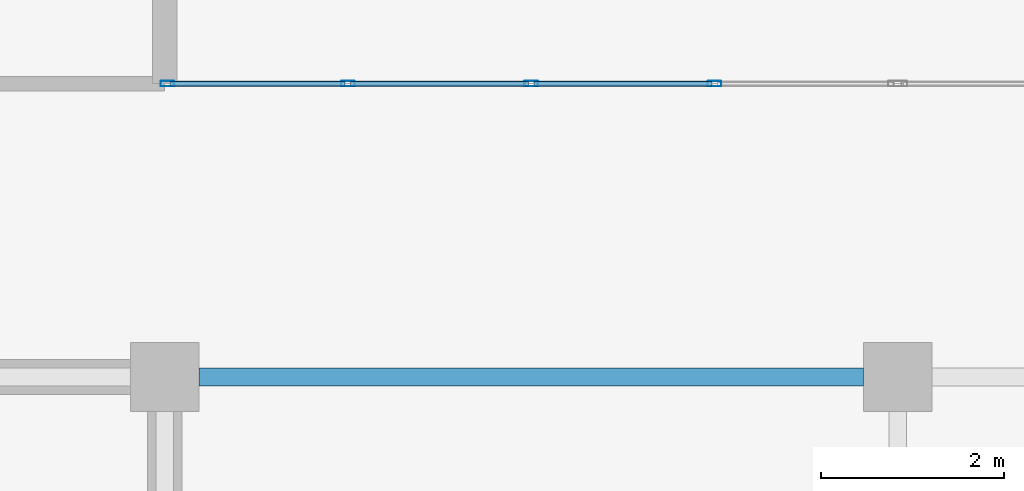
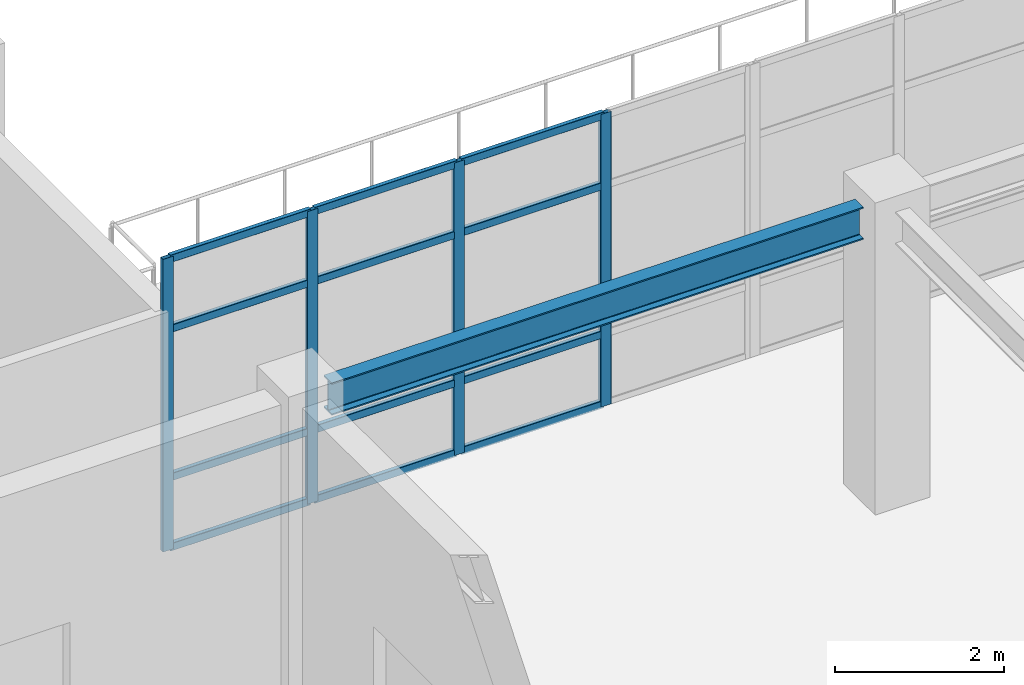
# One storey, part 9 of 42: 16 members, 1 beam, 1 element without a shape of its own.
"""IFC4 building model written with IfcOpenShell, lengths in metres."""

import ifcopenshell
import ifcopenshell.guid

model = None  # the IFC model being written
_history = None  # IfcOwnerHistory: only IFC2X3 demands one
_inside = {}  # id of a spatial element -> (the spatial element, [elements in it])
_under = {}  # id of a project, library or spatial element -> (it, [spatial elements below it])
_declared = {}  # id of a project -> (the project, [libraries it declares])
_typed = {}  # id of a type object -> (the type object, [elements of that type])
_made_of = {}  # id of a material, layer set ... -> (it, [elements and type objects made of it])


def new_model(schema):
    """Start an empty IFC model of exactly this schema.

    Asked for "IFC4X3", IfcOpenShell would pick the latest addendum, in which some entities
    have other attributes; the version numbers below select the first issue.
    IFC2X3 requires an IfcOwnerHistory on every rooted entity: one is made here for all.
    """
    global model, _history
    if schema == "IFC4X3":
        model = ifcopenshell.file(schema_version=(4, 3, 0, 0))
    else:
        model = ifcopenshell.file(schema=schema)
    _inside.clear()
    _under.clear()
    _declared.clear()
    _typed.clear()
    _made_of.clear()
    _history = None
    if model.schema == "IFC2X3":
        org = make("IfcOrganization", Name="unknown")
        user = make(
            "IfcPersonAndOrganization",
            ThePerson=make("IfcPerson", FamilyName="unknown"),
            TheOrganization=org,
        )
        app = make(
            "IfcApplication",
            ApplicationDeveloper=org,
            Version="unknown",
            ApplicationFullName="unknown",
            ApplicationIdentifier="unknown",
        )
        _history = make(
            "IfcOwnerHistory",
            OwningUser=user,
            OwningApplication=app,
            ChangeAction="ADDED",
            CreationDate=0,
        )
    return model


def make(cls, **values):
    """One entity of the class cls with the attributes given. An attribute that is None is left unset."""
    return model.create_entity(
        cls, **{name: value for name, value in values.items() if value is not None}
    )


def rooted(cls, **values):
    """An entity with a GlobalId (a new one), such as an element, a storey or a relation."""
    return make(cls, GlobalId=ifcopenshell.guid.new(), OwnerHistory=_history, **values)


def si_unit(unit_type, name, prefix=None):
    """IfcSIUnit, for example si_unit("LENGTHUNIT", "METRE", prefix="MILLI")."""
    return make("IfcSIUnit", UnitType=unit_type, Prefix=prefix, Name=name)


def assignment(units):
    """IfcUnitAssignment: the units of a project."""
    return None if units is None else make("IfcUnitAssignment", Units=units)


def point(xyz):
    """IfcCartesianPoint."""
    return None if xyz is None else make("IfcCartesianPoint", Coordinates=xyz)


def direction(xyz):
    """IfcDirection."""
    return None if xyz is None else make("IfcDirection", DirectionRatios=xyz)


def frame(location, z_axis=None, x_axis=None):
    """IfcAxis2Placement3D, a coordinate frame: its origin and axes. An axis left out is left unset."""
    return make(
        "IfcAxis2Placement3D",
        Location=point(location),
        Axis=direction(z_axis),
        RefDirection=direction(x_axis),
    )


def frame_2d(location, x_axis=None):
    """IfcAxis2Placement2D, a coordinate frame in the plane: its origin and x axis."""
    return make(
        "IfcAxis2Placement2D", Location=point(location), RefDirection=direction(x_axis)
    )


def origin():
    """The frame at (0, 0, 0) with its axes left unset."""
    return frame((0.0, 0.0, 0.0))


def origin_2d():
    """The frame at (0, 0) in the plane with its x axis left unset."""
    return frame_2d((0.0, 0.0))


def place(relative_to, where):
    """IfcLocalPlacement: puts the frame where relative to a parent placement (None: the world)."""
    return make(
        "IfcLocalPlacement", PlacementRelTo=relative_to, RelativePlacement=where
    )


def context(
    kind, dimensions, precision=None, world=None, true_north=None, identifier=None
):
    """IfcGeometricRepresentationContext, for example the 3D "Model" context."""
    return make(
        "IfcGeometricRepresentationContext",
        ContextIdentifier=identifier,
        ContextType=kind,
        CoordinateSpaceDimension=dimensions,
        Precision=precision,
        WorldCoordinateSystem=world,
        TrueNorth=true_north,
    )


def subcontext(parent, identifier, kind, view, scale=None):
    """IfcGeometricRepresentationSubContext, for example "Body" below "Model"."""
    return make(
        "IfcGeometricRepresentationSubContext",
        ContextIdentifier=identifier,
        ContextType=kind,
        ParentContext=parent,
        TargetScale=scale,
        TargetView=view,
    )


def project(units=None, contexts=None):
    """IfcProject with its units and contexts."""
    return rooted(
        "IfcProject",
        Name="project",
        RepresentationContexts=contexts,
        UnitsInContext=assignment(units),
    )


def spatial(cls, under=None, at=None, **own):
    """A site, building, storey or space (cls), placed at a placement, below another one or the project."""
    s = rooted(cls, ObjectPlacement=at, **own)
    if under is not None:
        _under.setdefault(under.id(), (under, []))[1].append(s)
    return s


def profile(cls, at=None, kind="AREA", **sizes):
    """A parametric profile (cls). Its sizes go by their IFC names, for example OverallWidth=200.0."""
    return make(cls, ProfileType=kind, Position=at, **sizes)


def hollow_rectangle(**sizes):
    """IfcRectangleHollowProfileDef."""
    return profile("IfcRectangleHollowProfileDef", **sizes)


def i_section(**sizes):
    """IfcIShapeProfileDef."""
    return profile("IfcIShapeProfileDef", **sizes)


def extrude(swept, where, along, depth):
    """IfcExtrudedAreaSolid: the profile swept, set in the frame where, extruded along a direction by depth."""
    return make(
        "IfcExtrudedAreaSolid",
        SweptArea=swept,
        Position=where,
        ExtrudedDirection=direction(along),
        Depth=depth,
    )


def shape(context_of_items, identifier, shape_type, items):
    """IfcShapeRepresentation: the items that make up one representation, for example the "Body"."""
    return make(
        "IfcShapeRepresentation",
        ContextOfItems=context_of_items,
        RepresentationIdentifier=identifier,
        RepresentationType=shape_type,
        Items=items,
    )


def material(Name=None, Category=None):
    """IfcMaterial."""
    return make("IfcMaterial", Name=Name, Category=Category)


def material_profile(
    of_material, cross_section, Name=None, Category=None, Priority=None
):
    """IfcMaterialProfile: a cross section and its material."""
    return make(
        "IfcMaterialProfile",
        Name=Name,
        Material=of_material,
        Profile=cross_section,
        Priority=Priority,
        Category=Category,
    )


def profile_set(profiles, Name=None, composite=None):
    """IfcMaterialProfileSet."""
    return make(
        "IfcMaterialProfileSet",
        Name=Name,
        MaterialProfiles=profiles,
        CompositeProfile=composite,
    )


def made_of(thing, what):
    """Note that an element or type object is made of a material, layer set ...; save() writes the relation."""
    if what is not None:
        _made_of.setdefault(what.id(), (what, []))[1].append(thing)
    return thing


def type_object(cls, material=None, **own):
    """A type object (cls), such as IfcWallType, which elements share."""
    return made_of(rooted(cls, **own), material)


def element(
    cls,
    number,
    at=None,
    inside=None,
    cuts=None,
    type_object=None,
    material=None,
    context=None,
    identifier="Body",
    shape_type=None,
    held_by="IfcProductDefinitionShape",
    body=None,
    shapes=None,
    **own,
):
    """One element of the class cls, such as IfcWall. Its Tag is "e" and its number.

    at: its placement. inside: the storey or other place that contains it. cuts: it is an
    opening in that element (IfcRelVoidsElement). A single representation is given by context,
    identifier, shape_type and body (its items); several are given by shapes. held_by: the class
    of the entity that holds the representations. save() writes the other relations.
    """
    e = rooted(cls, Tag="e%d" % number, ObjectPlacement=at, **own)
    if body is not None:
        shapes = [shape(context, identifier, shape_type, body)]
    if shapes is not None:
        e.Representation = make(held_by, Representations=shapes)
    if inside is not None:
        _inside.setdefault(inside.id(), (inside, []))[1].append(e)
    if cuts is not None:
        rooted(
            "IfcRelVoidsElement", RelatingBuildingElement=cuts, RelatedOpeningElement=e
        )
    if type_object is not None:
        _typed.setdefault(type_object.id(), (type_object, []))[1].append(e)
    return made_of(e, material)


def aggregate(whole, parts):
    """IfcRelAggregates: a whole, such as a stair, and the parts it consists of."""
    return rooted("IfcRelAggregates", RelatingObject=whole, RelatedObjects=parts)


def save(model, path):
    """Write the relations noted so far, then the file.

    IfcRelAggregates (storeys below a building ...), IfcRelContainedInSpatialStructure (elements
    in a storey), IfcRelDefinesByType, IfcRelAssociatesMaterial and IfcRelDeclares: one each for
    every whole, place, type object, material and project.
    """
    for whole, parts in _under.values():
        aggregate(whole, parts)
    for where, things in _inside.values():
        rooted(
            "IfcRelContainedInSpatialStructure",
            RelatedElements=things,
            RelatingStructure=where,
        )
    for kind, things in _typed.values():
        rooted("IfcRelDefinesByType", RelatedObjects=things, RelatingType=kind)
    for what, things in _made_of.values():
        rooted("IfcRelAssociatesMaterial", RelatedObjects=things, RelatingMaterial=what)
    for by, libraries in _declared.values():
        rooted("IfcRelDeclares", RelatingContext=by, RelatedDefinitions=libraries)
    model.write(path)


model = new_model("IFC4")

# Units and contexts
model_context = context("Model", 3, precision=1e-05, world=origin(), true_north=direction((0.0, 1.0)))
body_context = subcontext(model_context, "Body", "Model", "MODEL_VIEW")
ifc_project = project(units=[si_unit("LENGTHUNIT", "METRE"), si_unit("AREAUNIT", "SQUARE_METRE"), si_unit("VOLUMEUNIT", "CUBIC_METRE"), si_unit("PLANEANGLEUNIT", "RADIAN"), si_unit("MASSUNIT", "GRAM", prefix="KILO")], contexts=[model_context])

# Site, building, storey
site_placement = place(None, origin())
site = spatial("IfcSite", under=ifc_project, at=site_placement, CompositionType="ELEMENT")
building_placement = place(site_placement, origin())
building = spatial("IfcBuilding", under=site, at=building_placement, Name="Solmirada Galleria", CompositionType="ELEMENT")
storey_placement = place(building_placement, frame((0.0, 0.0, 28.39990234375)))
storey = spatial("IfcBuildingStorey", under=building, at=storey_placement, Name="L06", CompositionType="ELEMENT", Elevation=28.39990234375)

# Beam
ifc_material_1 = material(Name="Steel S355 / ASTM A992 Grade 50", Category="steel")
ifc_material_profile_1 = material_profile(ifc_material_1, i_section(OverallWidth=0.193115234375, OverallDepth=0.466064453125, WebThickness=0.011474609375, FlangeThickness=0.01904296875, FilletRadius=0.013916015625, at=origin_2d()), Name="W18X65")
ifc_profile_set_1 = profile_set([ifc_material_profile_1], Name="Steel S355 / ASTM A992 Grade 50")
beam_type = type_object("IfcBeamType", Name="BM-GIRD-W18C", PredefinedType="BEAM", material=ifc_profile_set_1)
beam_placement = place(storey_placement, frame((96.375, 16.0, 4.0400390625), z_axis=(1.0, 0.0, 0.0), x_axis=(0.0, 1.0, 0.0)))
element("IfcBeam", 1, at=beam_placement, inside=storey, type_object=beam_type, Name="South roof girder X=96..104", PredefinedType="BEAM", context=body_context, shape_type="SweptSolid", body=[
    extrude(i_section(OverallWidth=0.193115234375, OverallDepth=0.466064453125, WebThickness=0.011474609375, FlangeThickness=0.01904296875, FilletRadius=0.013916015625, at=origin_2d()), origin(), (0.0, 0.0, 1.0), 7.25),
])

# Curtain wall, members
ifc_material_2 = material(Name="Impact-resistant low-E double glazing", Category="glass")
curtain_wall_type = type_object("IfcCurtainWallType", Name="CW-FZ5-L06-B4-L080", PredefinedType="NOTDEFINED", material=ifc_material_2)
curtain_wall_placement = place(storey_placement, origin())
curtain_wall = element("IfcCurtainWall", 2, at=curtain_wall_placement, inside=storey, type_object=curtain_wall_type, Name="Terrace and arcade storefront CW-L06-198", PredefinedType="NOTDEFINED")
ifc_material_3 = material(Name="Anodised aluminium framing", Category="aluminium")
ifc_material_profile_2 = material_profile(ifc_material_3, hollow_rectangle(XDim=0.06005859375, YDim=0.14990234375, WallThickness=0.00341796875, InnerFilletRadius=0.00341796875, OuterFilletRadius=0.007080078125, at=origin_2d()), Name="ALU-MULL-150X60")
ifc_profile_set_2 = profile_set([ifc_material_profile_2], Name="Anodised aluminium framing")
member_type_1 = type_object("IfcMemberType", Name="CW-MULL-150", PredefinedType="MULLION", material=ifc_profile_set_2)
member_1_placement = place(storey_placement, frame((96.030029296875, 19.199951171875, 0.0), z_axis=(0.0, 0.0, 1.0), x_axis=(0.0, 1.0, 0.0)))
member_1 = element("IfcMember", 3, at=member_1_placement, type_object=member_type_1, Name="CW39 mullion 1", PredefinedType="MULLION", context=body_context, shape_type="SweptSolid", body=[
    extrude(hollow_rectangle(XDim=0.06005859375, YDim=0.14990234375, WallThickness=0.00341796875, InnerFilletRadius=0.00341796875, OuterFilletRadius=0.007080078125, at=origin_2d()), origin(), (0.0, 0.0, 1.0), 4.22021484375),
])
member_2_placement = place(storey_placement, frame((98.0, 19.199951171875, 0.0), z_axis=(0.0, 0.0, 1.0), x_axis=(0.0, 1.0, 0.0)))
member_2 = element("IfcMember", 4, at=member_2_placement, type_object=member_type_1, Name="CW39 mullion 2", PredefinedType="MULLION", context=body_context, shape_type="SweptSolid", body=[
    extrude(hollow_rectangle(XDim=0.06005859375, YDim=0.14990234375, WallThickness=0.00341796875, InnerFilletRadius=0.00341796875, OuterFilletRadius=0.007080078125, at=origin_2d()), origin(), (0.0, 0.0, 1.0), 4.22021484375),
])
member_3_placement = place(storey_placement, frame((100.0, 19.199951171875, 0.0), z_axis=(0.0, 0.0, 1.0), x_axis=(0.0, 1.0, 0.0)))
member_3 = element("IfcMember", 5, at=member_3_placement, type_object=member_type_1, Name="CW39 mullion 3", PredefinedType="MULLION", context=body_context, shape_type="SweptSolid", body=[
    extrude(hollow_rectangle(XDim=0.06005859375, YDim=0.14990234375, WallThickness=0.00341796875, InnerFilletRadius=0.00341796875, OuterFilletRadius=0.007080078125, at=origin_2d()), origin(), (0.0, 0.0, 1.0), 4.22021484375),
])
member_4_placement = place(storey_placement, frame((102.0, 19.199951171875, 0.0), z_axis=(0.0, 0.0, 1.0), x_axis=(0.0, 1.0, 0.0)))
member_4 = element("IfcMember", 6, at=member_4_placement, type_object=member_type_1, Name="CW39 mullion 4", PredefinedType="MULLION", context=body_context, shape_type="SweptSolid", body=[
    extrude(hollow_rectangle(XDim=0.06005859375, YDim=0.14990234375, WallThickness=0.00341796875, InnerFilletRadius=0.00341796875, OuterFilletRadius=0.007080078125, at=origin_2d()), origin(), (0.0, 0.0, 1.0), 4.22021484375),
])
ifc_material_profile_3 = material_profile(ifc_material_3, hollow_rectangle(XDim=0.06005859375, YDim=0.110107421875, WallThickness=0.003173828125, InnerFilletRadius=0.003173828125, OuterFilletRadius=0.00634765625, at=origin_2d()), Name="ALU-TRAN-110X60")
ifc_profile_set_3 = profile_set([ifc_material_profile_3], Name="Anodised aluminium framing")
member_type_2 = type_object("IfcMemberType", Name="CW-TRAN-110", PredefinedType="USERDEFINED", material=ifc_profile_set_3)
member_5_placement = place(storey_placement, frame((96.06005859375, 19.199951171875, 0.030029296875), z_axis=(1.0, 0.0, 0.0), x_axis=(0.0, 1.0, 0.0)))
member_5 = element("IfcMember", 7, at=member_5_placement, type_object=member_type_2, Name="CW39 transom 1.1", ObjectType="TRANSOM", PredefinedType="USERDEFINED", context=body_context, shape_type="SweptSolid", body=[
    extrude(hollow_rectangle(XDim=0.06005859375, YDim=0.110107421875, WallThickness=0.003173828125, InnerFilletRadius=0.003173828125, OuterFilletRadius=0.00634765625, at=origin_2d()), origin(), (0.0, 0.0, 1.0), 1.909912109375),
])
member_6_placement = place(storey_placement, frame((96.06005859375, 19.199951171875, 1.0400390625), z_axis=(1.0, 0.0, 0.0), x_axis=(0.0, 1.0, 0.0)))
member_6 = element("IfcMember", 8, at=member_6_placement, type_object=member_type_2, Name="CW39 transom 1.2", ObjectType="TRANSOM", PredefinedType="USERDEFINED", context=body_context, shape_type="SweptSolid", body=[
    extrude(hollow_rectangle(XDim=0.06005859375, YDim=0.110107421875, WallThickness=0.003173828125, InnerFilletRadius=0.003173828125, OuterFilletRadius=0.00634765625, at=origin_2d()), origin(), (0.0, 0.0, 1.0), 1.909912109375),
])
member_7_placement = place(storey_placement, frame((96.06005859375, 19.199951171875, 3.18017578125), z_axis=(1.0, 0.0, 0.0), x_axis=(0.0, 1.0, 0.0)))
member_7 = element("IfcMember", 9, at=member_7_placement, type_object=member_type_2, Name="CW39 transom 1.3", ObjectType="TRANSOM", PredefinedType="USERDEFINED", context=body_context, shape_type="SweptSolid", body=[
    extrude(hollow_rectangle(XDim=0.06005859375, YDim=0.110107421875, WallThickness=0.003173828125, InnerFilletRadius=0.003173828125, OuterFilletRadius=0.00634765625, at=origin_2d()), origin(), (0.0, 0.0, 1.0), 1.909912109375),
])
member_8_placement = place(storey_placement, frame((96.06005859375, 19.199951171875, 4.190185546875), z_axis=(1.0, 0.0, 0.0), x_axis=(0.0, 1.0, 0.0)))
member_8 = element("IfcMember", 10, at=member_8_placement, type_object=member_type_2, Name="CW39 transom 1.4", ObjectType="TRANSOM", PredefinedType="USERDEFINED", context=body_context, shape_type="SweptSolid", body=[
    extrude(hollow_rectangle(XDim=0.06005859375, YDim=0.110107421875, WallThickness=0.003173828125, InnerFilletRadius=0.003173828125, OuterFilletRadius=0.00634765625, at=origin_2d()), origin(), (0.0, 0.0, 1.0), 1.909912109375),
])
member_9_placement = place(storey_placement, frame((98.030029296875, 19.199951171875, 0.030029296875), z_axis=(1.0, 0.0, 0.0), x_axis=(0.0, 1.0, 0.0)))
member_9 = element("IfcMember", 11, at=member_9_placement, type_object=member_type_2, Name="CW39 transom 2.1", ObjectType="TRANSOM", PredefinedType="USERDEFINED", context=body_context, shape_type="SweptSolid", body=[
    extrude(hollow_rectangle(XDim=0.06005859375, YDim=0.110107421875, WallThickness=0.003173828125, InnerFilletRadius=0.003173828125, OuterFilletRadius=0.00634765625, at=origin_2d()), origin(), (0.0, 0.0, 1.0), 1.93994140625),
])
member_10_placement = place(storey_placement, frame((98.030029296875, 19.199951171875, 1.0400390625), z_axis=(1.0, 0.0, 0.0), x_axis=(0.0, 1.0, 0.0)))
member_10 = element("IfcMember", 12, at=member_10_placement, type_object=member_type_2, Name="CW39 transom 2.2", ObjectType="TRANSOM", PredefinedType="USERDEFINED", context=body_context, shape_type="SweptSolid", body=[
    extrude(hollow_rectangle(XDim=0.06005859375, YDim=0.110107421875, WallThickness=0.003173828125, InnerFilletRadius=0.003173828125, OuterFilletRadius=0.00634765625, at=origin_2d()), origin(), (0.0, 0.0, 1.0), 1.93994140625),
])
member_11_placement = place(storey_placement, frame((98.030029296875, 19.199951171875, 3.18017578125), z_axis=(1.0, 0.0, 0.0), x_axis=(0.0, 1.0, 0.0)))
member_11 = element("IfcMember", 13, at=member_11_placement, type_object=member_type_2, Name="CW39 transom 2.3", ObjectType="TRANSOM", PredefinedType="USERDEFINED", context=body_context, shape_type="SweptSolid", body=[
    extrude(hollow_rectangle(XDim=0.06005859375, YDim=0.110107421875, WallThickness=0.003173828125, InnerFilletRadius=0.003173828125, OuterFilletRadius=0.00634765625, at=origin_2d()), origin(), (0.0, 0.0, 1.0), 1.93994140625),
])
member_12_placement = place(storey_placement, frame((98.030029296875, 19.199951171875, 4.190185546875), z_axis=(1.0, 0.0, 0.0), x_axis=(0.0, 1.0, 0.0)))
member_12 = element("IfcMember", 14, at=member_12_placement, type_object=member_type_2, Name="CW39 transom 2.4", ObjectType="TRANSOM", PredefinedType="USERDEFINED", context=body_context, shape_type="SweptSolid", body=[
    extrude(hollow_rectangle(XDim=0.06005859375, YDim=0.110107421875, WallThickness=0.003173828125, InnerFilletRadius=0.003173828125, OuterFilletRadius=0.00634765625, at=origin_2d()), origin(), (0.0, 0.0, 1.0), 1.93994140625),
])
member_13_placement = place(storey_placement, frame((100.030029296875, 19.199951171875, 0.030029296875), z_axis=(1.0, 0.0, 0.0), x_axis=(0.0, 1.0, 0.0)))
member_13 = element("IfcMember", 15, at=member_13_placement, type_object=member_type_2, Name="CW39 transom 3.1", ObjectType="TRANSOM", PredefinedType="USERDEFINED", context=body_context, shape_type="SweptSolid", body=[
    extrude(hollow_rectangle(XDim=0.06005859375, YDim=0.110107421875, WallThickness=0.003173828125, InnerFilletRadius=0.003173828125, OuterFilletRadius=0.00634765625, at=origin_2d()), origin(), (0.0, 0.0, 1.0), 1.93994140625),
])
member_14_placement = place(storey_placement, frame((100.030029296875, 19.199951171875, 1.0400390625), z_axis=(1.0, 0.0, 0.0), x_axis=(0.0, 1.0, 0.0)))
member_14 = element("IfcMember", 16, at=member_14_placement, type_object=member_type_2, Name="CW39 transom 3.2", ObjectType="TRANSOM", PredefinedType="USERDEFINED", context=body_context, shape_type="SweptSolid", body=[
    extrude(hollow_rectangle(XDim=0.06005859375, YDim=0.110107421875, WallThickness=0.003173828125, InnerFilletRadius=0.003173828125, OuterFilletRadius=0.00634765625, at=origin_2d()), origin(), (0.0, 0.0, 1.0), 1.93994140625),
])
member_15_placement = place(storey_placement, frame((100.030029296875, 19.199951171875, 3.18017578125), z_axis=(1.0, 0.0, 0.0), x_axis=(0.0, 1.0, 0.0)))
member_15 = element("IfcMember", 17, at=member_15_placement, type_object=member_type_2, Name="CW39 transom 3.3", ObjectType="TRANSOM", PredefinedType="USERDEFINED", context=body_context, shape_type="SweptSolid", body=[
    extrude(hollow_rectangle(XDim=0.06005859375, YDim=0.110107421875, WallThickness=0.003173828125, InnerFilletRadius=0.003173828125, OuterFilletRadius=0.00634765625, at=origin_2d()), origin(), (0.0, 0.0, 1.0), 1.93994140625),
])
member_16_placement = place(storey_placement, frame((100.030029296875, 19.199951171875, 4.190185546875), z_axis=(1.0, 0.0, 0.0), x_axis=(0.0, 1.0, 0.0)))
member_16 = element("IfcMember", 18, at=member_16_placement, type_object=member_type_2, Name="CW39 transom 3.4", ObjectType="TRANSOM", PredefinedType="USERDEFINED", context=body_context, shape_type="SweptSolid", body=[
    extrude(hollow_rectangle(XDim=0.06005859375, YDim=0.110107421875, WallThickness=0.003173828125, InnerFilletRadius=0.003173828125, OuterFilletRadius=0.00634765625, at=origin_2d()), origin(), (0.0, 0.0, 1.0), 1.93994140625),
])
aggregate(curtain_wall, [member_1, member_2, member_3, member_4, member_5, member_6, member_7, member_8, member_9, member_10, member_11, member_12, member_13, member_14, member_15, member_16])

save(model, "model.ifc")
